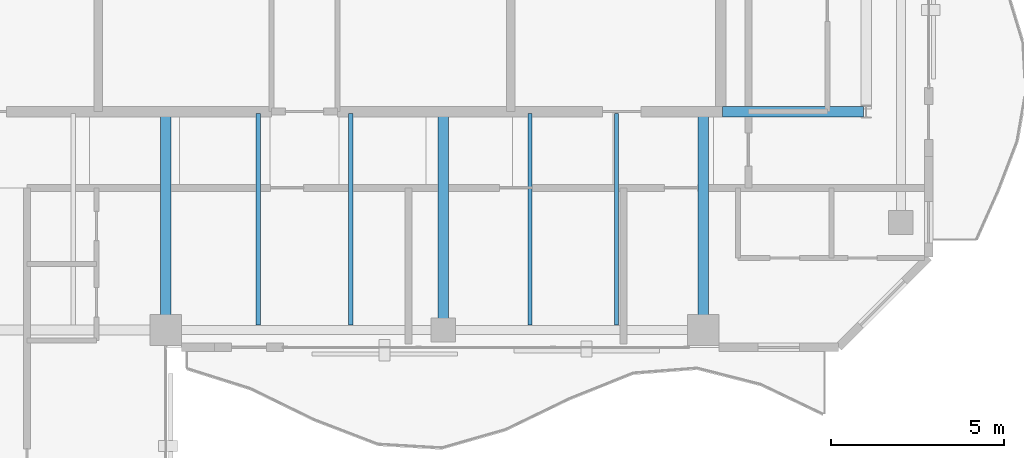
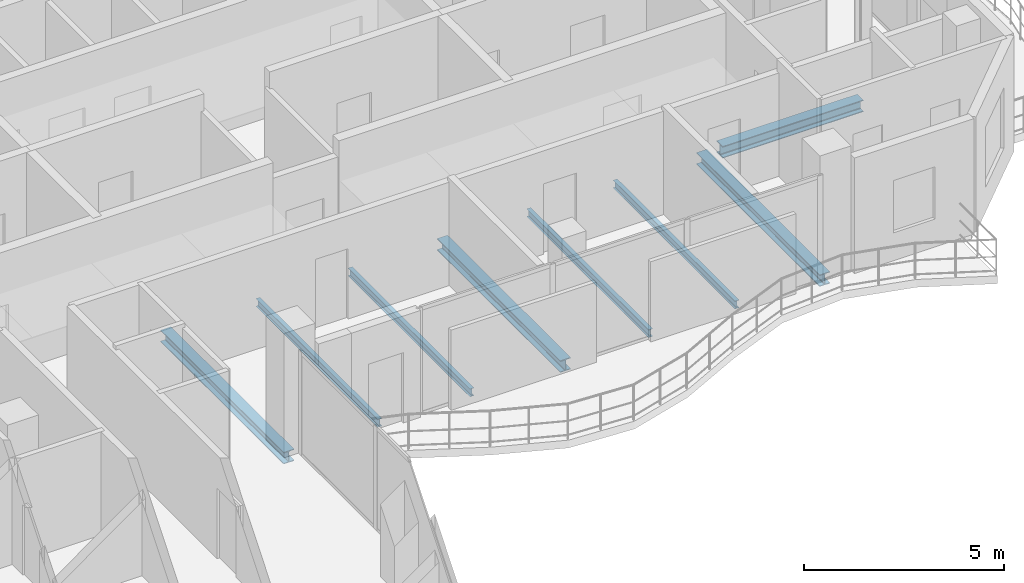
# One storey, part 10 of 17: 8 beams.
"""IFC4 building model written with IfcOpenShell, lengths in metres."""

from ifc_helpers import new_model, si_unit, direction, frame, origin, origin_2d, place, context, subcontext, project, spatial, i_section, extrude, material, material_profile, profile_set, type_object, element, save


model = new_model("IFC4")

# Units and contexts
model_context = context("Model", 3, precision=1e-05, world=origin(), true_north=direction((0.0, 1.0)))
body_context = subcontext(model_context, "Body", "Model", "MODEL_VIEW")
ifc_project = project(units=[si_unit("LENGTHUNIT", "METRE"), si_unit("AREAUNIT", "SQUARE_METRE"), si_unit("VOLUMEUNIT", "CUBIC_METRE"), si_unit("PLANEANGLEUNIT", "RADIAN"), si_unit("MASSUNIT", "GRAM", prefix="KILO")], contexts=[model_context])

# Site, building, storey
site_placement = place(None, origin())
site = spatial("IfcSite", under=ifc_project, at=site_placement, CompositionType="ELEMENT")
building_placement = place(site_placement, origin())
building = spatial("IfcBuilding", under=site, at=building_placement, Name="Catumbela Crestline Tower", CompositionType="ELEMENT")
storey_placement = place(building_placement, frame((0.0, 0.0, 267.8)))
storey = spatial("IfcBuildingStorey", under=building, at=storey_placement, Name="L69", CompositionType="ELEMENT", Elevation=267.8)

# Beams
ifc_material = material(Name="Structural steel S355J2", Category="steel")
ifc_material_profile_1 = material_profile(ifc_material, i_section(OverallWidth=0.3, OverallDepth=0.36, WebThickness=0.0125, FlangeThickness=0.0225, FilletRadius=0.027, at=origin_2d()), Name="HEB 360")
ifc_profile_set_1 = profile_set([ifc_material_profile_1], Name="Structural steel S355J2")
beam_type_1 = type_object("IfcBeamType", Name="BG-HEB360", PredefinedType="BEAM", material=ifc_profile_set_1)
beam_placement = place(storey_placement, frame((40.05, 30.8, -0.44), z_axis=(1.0, 0.0, 0.0), x_axis=(0.0, 1.0, 0.0)))
element("IfcBeam", 1, at=beam_placement, inside=storey, type_object=beam_type_1, Name="L69 Beam BM-L69-M04", PredefinedType="BEAM", context=body_context, shape_type="SweptSolid", body=[
    extrude(i_section(OverallWidth=0.3, OverallDepth=0.36, WebThickness=0.0125, FlangeThickness=0.0225, FilletRadius=0.027, at=origin_2d()), origin(), (0.0, 0.0, 1.0), 4.07),
])
for number, where, z_axis, x_axis, name in (
    (2, (24.0, 24.58, -0.44), (0.0, 1.0, 0.0), (-1.0, 0.0, 0.0), "L69 Beam BM-L69-SNS07"),
    (3, (32.0, 24.58, -0.44), (0.0, 1.0, 0.0), (-1.0, 0.0, 0.0), "L69 Beam BM-L69-SNS08"),
    (4, (39.5, 24.58, -0.44), (0.0, 1.0, 0.0), (-1.0, 0.0, 0.0), "L69 Beam BM-L69-SNS09"),
):
    element("IfcBeam", number, at=place(storey_placement, frame(where, z_axis=z_axis, x_axis=x_axis)), inside=storey, type_object=beam_type_1, Name=name, PredefinedType="BEAM", context=body_context, shape_type="SweptSolid", body=[
        extrude(i_section(OverallWidth=0.3, OverallDepth=0.36, WebThickness=0.0125, FlangeThickness=0.0225, FilletRadius=0.027, at=origin_2d()), origin(), (0.0, 0.0, 1.0), 6.17),
    ])
ifc_material_profile_2 = material_profile(ifc_material, i_section(OverallWidth=0.12, OverallDepth=0.24, WebThickness=0.0062, FlangeThickness=0.0098, FilletRadius=0.015, at=origin_2d()), Name="IPE 240")
ifc_profile_set_2 = profile_set([ifc_material_profile_2], Name="Structural steel S355J2")
beam_type_2 = type_object("IfcBeamType", Name="BJ-IPE240", PredefinedType="JOIST", material=ifc_profile_set_2)
for number, where, z_axis, x_axis, name in (
    (5, (26.667, 24.647, -0.38), (0.0, 1.0, 0.0), (-1.0, 0.0, 0.0), "L69 Joist JS-L69-SP14"),
    (6, (29.333, 24.647, -0.38), (0.0, 1.0, 0.0), (-1.0, 0.0, 0.0), "L69 Joist JS-L69-SP15"),
    (7, (34.5, 24.647, -0.38), (0.0, 1.0, 0.0), (-1.0, 0.0, 0.0), "L69 Joist JS-L69-SP16"),
    (8, (37.0, 24.647, -0.38), (0.0, 1.0, 0.0), (-1.0, 0.0, 0.0), "L69 Joist JS-L69-SP17"),
):
    element("IfcBeam", number, at=place(storey_placement, frame(where, z_axis=z_axis, x_axis=x_axis)), inside=storey, type_object=beam_type_2, Name=name, PredefinedType="JOIST", context=body_context, shape_type="SweptSolid", body=[
        extrude(i_section(OverallWidth=0.12, OverallDepth=0.24, WebThickness=0.0062, FlangeThickness=0.0098, FilletRadius=0.015, at=origin_2d()), origin(), (0.0, 0.0, 1.0), 6.103),
    ])

save(model, "model.ifc")
